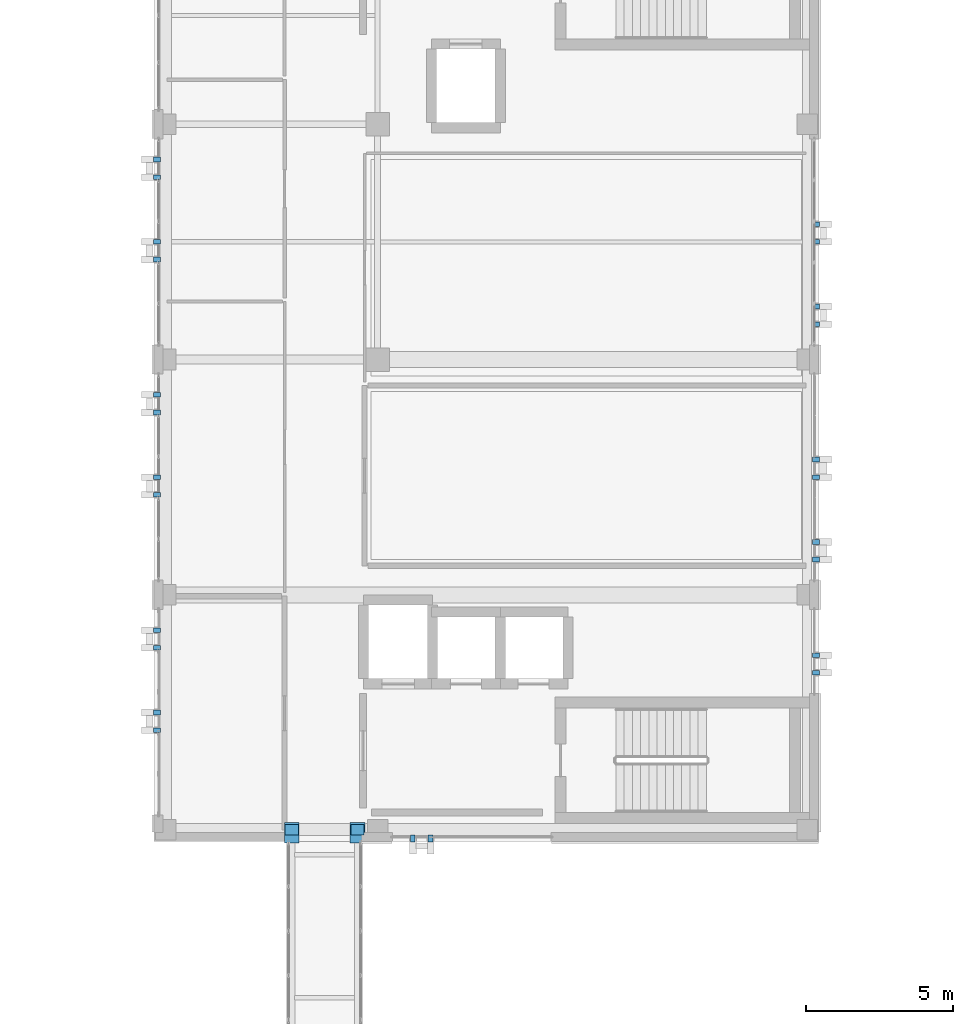
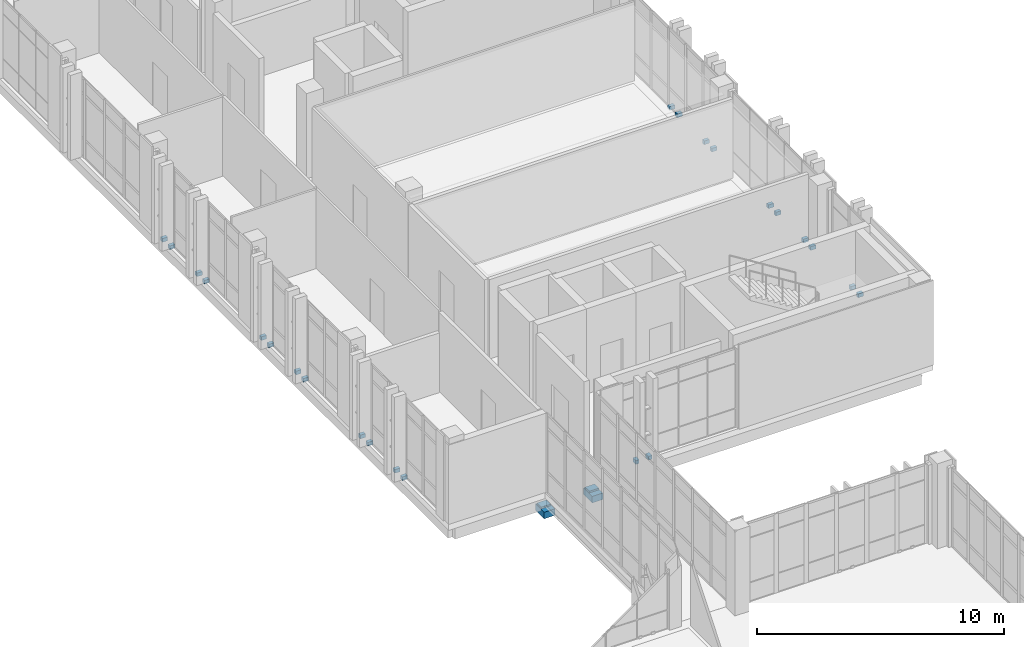
# One storey, part 167 of 193: 28 discrete accessories.
"""IFC4 building model written with IfcOpenShell, lengths in metres."""

from ifc_helpers import new_model, si_unit, direction, frame, origin, origin_2d, place, context, subcontext, project, spatial, rectangle, extrude, material, type_object, element, save


model = new_model("IFC4")

# Units and contexts
model_context = context("Model", 3, precision=1e-05, world=origin(), true_north=direction((0.0, 1.0)))
body_context = subcontext(model_context, "Body", "Model", "MODEL_VIEW")
ifc_project = project(units=[si_unit("LENGTHUNIT", "METRE"), si_unit("AREAUNIT", "SQUARE_METRE"), si_unit("VOLUMEUNIT", "CUBIC_METRE"), si_unit("PLANEANGLEUNIT", "RADIAN"), si_unit("MASSUNIT", "GRAM", prefix="KILO")], contexts=[model_context])

# Site, building, storey
site_placement = place(None, origin())
site = spatial("IfcSite", under=ifc_project, at=site_placement, CompositionType="ELEMENT")
building_placement = place(site_placement, origin())
building = spatial("IfcBuilding", under=site, at=building_placement, Name="Qalavern Law Courts", CompositionType="ELEMENT")
storey_placement = place(building_placement, frame((0.0, 0.0, 10.199951171875)))
storey = spatial("IfcBuildingStorey", under=building, at=storey_placement, Name="L02", CompositionType="ELEMENT", Elevation=10.199951171875)

# Discrete accessories
ifc_material_1 = material(Name="Steel S355", Category="steel")
discrete_accessory_type_1 = type_object("IfcDiscreteAccessoryType", Name="ENV-BRK-FIN", PredefinedType="BRACKET", material=ifc_material_1)
for number, where, z_axis, x_axis, name in (
    (1, (93.0, 41.114990234375, -0.06982421875), (0.0, 0.0, 1.0), (0.0, -1.0, 0.0), "Stone blade anchor bracket 0579"),
    (2, (93.60009765625, 41.114990234375, -0.06982421875), (0.0, 0.0, 1.0), (0.0, -1.0, 0.0), "Stone blade anchor bracket 0580"),
    (3, (106.705078125, 46.75, -0.06982421875), (0.0, 0.0, 1.0), (1.0, 0.0, 0.0), "Stone blade anchor bracket 0581"),
    (4, (106.705078125, 47.35009765625, -0.06982421875), (0.0, 0.0, 1.0), (1.0, 0.0, 0.0), "Stone blade anchor bracket 0582"),
    (5, (106.705078125, 50.60009765625, -0.06982421875), (0.0, 0.0, 1.0), (1.0, 0.0, 0.0), "Stone blade anchor bracket 0583"),
    (6, (106.705078125, 51.199951171875, -0.06982421875), (0.0, 0.0, 1.0), (1.0, 0.0, 0.0), "Stone blade anchor bracket 0584"),
    (7, (106.705078125, 53.39990234375, -0.06982421875), (0.0, 0.0, 1.0), (1.0, 0.0, 0.0), "Stone blade anchor bracket 0585"),
    (8, (106.705078125, 54.0, -0.06982421875), (0.0, 0.0, 1.0), (1.0, 0.0, 0.0), "Stone blade anchor bracket 0586"),
    (9, (106.705078125, 58.60009765625, -0.06982421875), (0.0, 0.0, 1.0), (1.0, 0.0, 0.0), "Stone blade anchor bracket 0587"),
    (10, (106.705078125, 59.199951171875, -0.06982421875), (0.0, 0.0, 1.0), (1.0, 0.0, 0.0), "Stone blade anchor bracket 0588"),
    (11, (106.705078125, 61.39990234375, -0.06982421875), (0.0, 0.0, 1.0), (1.0, 0.0, 0.0), "Stone blade anchor bracket 0589"),
    (12, (106.705078125, 62.0, -0.06982421875), (0.0, 0.0, 1.0), (1.0, 0.0, 0.0), "Stone blade anchor bracket 0590"),
    (13, (84.294921875, 64.199951171875, -0.06982421875), (0.0, 0.0, 1.0), (-1.0, 0.0, 0.0), "Stone blade anchor bracket 0611"),
    (14, (84.294921875, 63.60009765625, -0.06982421875), (0.0, 0.0, 1.0), (-1.0, 0.0, 0.0), "Stone blade anchor bracket 0612"),
    (15, (84.294921875, 61.39990234375, -0.06982421875), (0.0, 0.0, 1.0), (-1.0, 0.0, 0.0), "Stone blade anchor bracket 0613"),
    (16, (84.294921875, 60.800048828125, -0.06982421875), (0.0, 0.0, 1.0), (-1.0, 0.0, 0.0), "Stone blade anchor bracket 0614"),
    (17, (84.294921875, 56.199951171875, -0.06982421875), (0.0, 0.0, 1.0), (-1.0, 0.0, 0.0), "Stone blade anchor bracket 0615"),
    (18, (84.294921875, 55.60009765625, -0.06982421875), (0.0, 0.0, 1.0), (-1.0, 0.0, 0.0), "Stone blade anchor bracket 0616"),
    (19, (84.294921875, 53.39990234375, -0.06982421875), (0.0, 0.0, 1.0), (-1.0, 0.0, 0.0), "Stone blade anchor bracket 0617"),
    (20, (84.294921875, 52.800048828125, -0.06982421875), (0.0, 0.0, 1.0), (-1.0, 0.0, 0.0), "Stone blade anchor bracket 0618"),
    (21, (84.294921875, 48.199951171875, -0.06982421875), (0.0, 0.0, 1.0), (-1.0, 0.0, 0.0), "Stone blade anchor bracket 0619"),
    (22, (84.294921875, 47.60009765625, -0.06982421875), (0.0, 0.0, 1.0), (-1.0, 0.0, 0.0), "Stone blade anchor bracket 0620"),
    (23, (84.294921875, 45.39990234375, -0.06982421875), (0.0, 0.0, 1.0), (-1.0, 0.0, 0.0), "Stone blade anchor bracket 0621"),
    (24, (84.294921875, 44.800048828125, -0.06982421875), (0.0, 0.0, 1.0), (-1.0, 0.0, 0.0), "Stone blade anchor bracket 0622"),
):
    element("IfcDiscreteAccessory", number, at=place(storey_placement, frame(where, z_axis=z_axis, x_axis=x_axis)), inside=storey, type_object=discrete_accessory_type_1, Name=name, PredefinedType="BRACKET", context=body_context, shape_type="SweptSolid", body=[
        extrude(rectangle(XDim=0.239990234375, YDim=0.159912109375, at=origin_2d()), origin(), (0.0, 0.0, 1.0), 0.179931640625),
    ])
ifc_material_2 = material(Name="Concrete C45/55", Category="concrete")
discrete_accessory_type_2 = type_object("IfcDiscreteAccessoryType", Name="STR-CORBEL-700", PredefinedType="BRACKET", material=ifc_material_2)
for number, where, z_axis, x_axis, name in (
    (25, (88.8798828125, 41.320068359375, -1.23974609375), (0.0, 0.0, 1.0), (1.0, 0.0, 0.0), "Bridge BR-V2-V4 700 mm corbel seat 1 L02"),
    (26, (91.1201171875, 41.320068359375, -1.23974609375), (0.0, 0.0, 1.0), (1.0, 0.0, 0.0), "Bridge BR-V2-V4 700 mm corbel seat 2 L02"),
):
    element("IfcDiscreteAccessory", number, at=place(storey_placement, frame(where, z_axis=z_axis, x_axis=x_axis)), inside=storey, type_object=discrete_accessory_type_2, Name=name, PredefinedType="BRACKET", context=body_context, shape_type="SweptSolid", body=[
        extrude(rectangle(XDim=0.5, YDim=0.699951171875, at=origin_2d()), origin(), (0.0, 0.0, 1.0), 0.320068359375),
    ])
discrete_accessory_type_3 = type_object("IfcDiscreteAccessoryType", Name="STR-SHOE-PTFE350", PredefinedType="SHOE", material=ifc_material_1)
for number, where, z_axis, x_axis, name in (
    (27, (88.8798828125, 41.419921875, -0.919921875), (0.0, 0.0, 1.0), (1.0, 0.0, 0.0), "Seismic bridge PTFE sliding bearing 37"),
    (28, (91.1201171875, 41.419921875, -0.919921875), (0.0, 0.0, 1.0), (1.0, 0.0, 0.0), "Seismic bridge PTFE sliding bearing 38"),
):
    element("IfcDiscreteAccessory", number, at=place(storey_placement, frame(where, z_axis=z_axis, x_axis=x_axis)), inside=storey, type_object=discrete_accessory_type_3, Name=name, PredefinedType="SHOE", context=body_context, shape_type="SweptSolid", body=[
        extrude(rectangle(XDim=0.449951171875, YDim=0.35009765625, at=origin_2d()), origin(), (0.0, 0.0, 1.0), 0.080078125),
    ])

save(model, "model.ifc")
